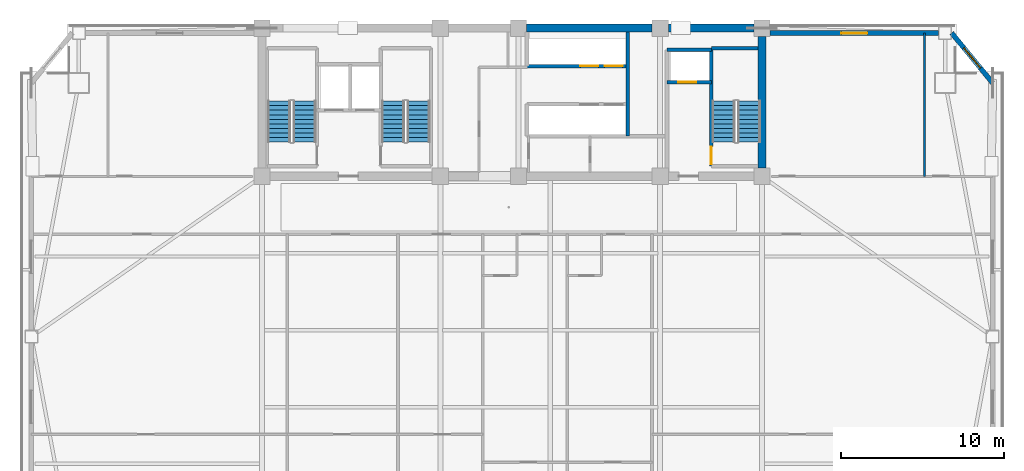
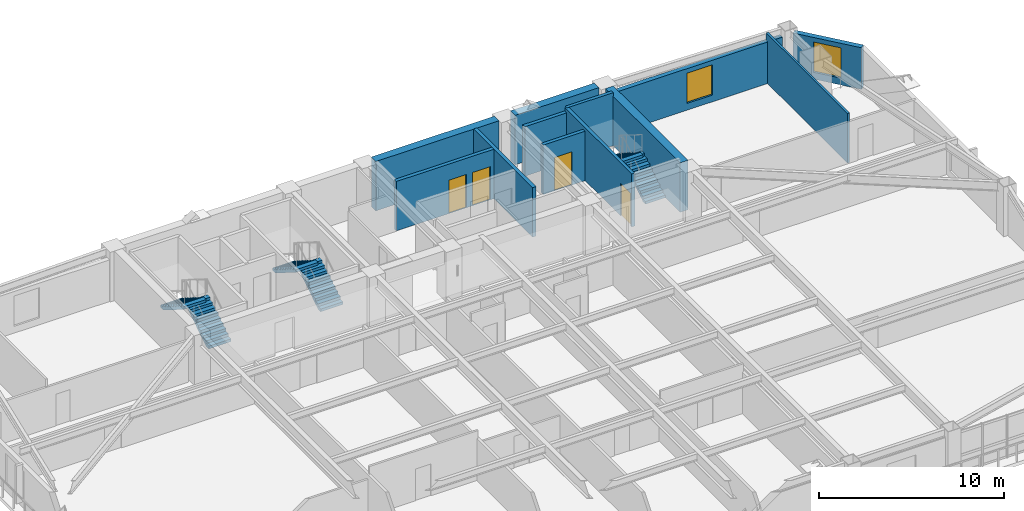
# One storey, part 10 of 16: 12 walls, 6 stair flights, 4 doors, 2 windows, 6 openings, 3 elements without a shape of their own.
"""IFC4 building model written with IfcOpenShell, lengths in metres."""

from ifc_helpers import new_model, si_unit, direction, frame, frame_2d, origin, place, context, subcontext, project, spatial, polyline, rectangle, outline, extrude, source, transform, mapped, material, layer, layer_set, type_object, element, fill, aggregate, save


model = new_model("IFC4")

# Units and contexts
model_context = context("Model", 3, precision=1e-05, world=origin(), true_north=direction((0.0, 1.0)))
body_context = subcontext(model_context, "Body", "Model", "MODEL_VIEW")
ifc_project = project(units=[si_unit("LENGTHUNIT", "METRE"), si_unit("AREAUNIT", "SQUARE_METRE"), si_unit("VOLUMEUNIT", "CUBIC_METRE"), si_unit("PLANEANGLEUNIT", "RADIAN"), si_unit("MASSUNIT", "GRAM", prefix="KILO")], contexts=[model_context])

# Site, building, storey
site_placement = place(None, origin())
site = spatial("IfcSite", under=ifc_project, at=site_placement, CompositionType="ELEMENT")
building_placement = place(site_placement, origin())
building = spatial("IfcBuilding", under=site, at=building_placement, Name="Giltprow Tower", CompositionType="ELEMENT")
storey_placement = place(building_placement, frame((0.0, 0.0, 159.699951171875)))
storey = spatial("IfcBuildingStorey", under=building, at=storey_placement, Name="L39", CompositionType="ELEMENT", Elevation=159.699951171875)

# Wall, opening, window
ifc_material_1 = material(Name="Precast concrete C40", Category="concrete")
ifc_layer_1 = layer(ifc_material_1, 0.300048828125, Name="Precast concrete C40")
ifc_layer_set_1 = layer_set([ifc_layer_1], Name="Precast concrete C40")
wall_type_1 = type_object("IfcWallType", Name="EW-NOTCH-CHAMFER-300", PredefinedType="SOLIDWALL", material=ifc_layer_set_1)
wall_1_placement = place(storey_placement, frame((64.716064453125, 43.18701171875, 0.0), z_axis=(0.0, 0.0, 1.0), x_axis=(-0.634310946058, 0.773078019161, 0.0)))
wall_1 = element("IfcWall", 1, at=wall_1_placement, inside=storey, type_object=wall_type_1, Name="L39 Corner Notch Wall NE", PredefinedType="SOLIDWALL", context=body_context, shape_type="SweptSolid", body=[
    extrude(rectangle(XDim=3.962158203125, YDim=0.300048828125, at=frame_2d((1.98095703125, 0.0))), origin(), (0.0, 0.0, 1.0), 2.75),
])
opening_1_placement = place(wall_1_placement, frame((1.180908203125, 0.0, 0.449951171875)))
opening_1 = element("IfcOpeningElement", 2, at=opening_1_placement, cuts=wall_1, Name="Opening WN17", PredefinedType="OPENING", context=body_context, shape_type="SweptSolid", body=[
    extrude(rectangle(XDim=1.60009765625, YDim=2.0, at=frame_2d((0.800048828125, 1.0))), frame((0.0, 0.159912109375, 0.0), z_axis=(0.0, -1.0, 0.0), x_axis=(1.0, 0.0, 0.0)), (0.0, 0.0, 1.0), 0.320068359375),
])
ifc_material_2 = material(Name="Insulated glass", Category="glass")
window_type = type_object("IfcWindowType", Name="WN-COR-1600x2000", PartitioningType="SINGLE_PANEL", PredefinedType="WINDOW", material=ifc_material_2)
shared_shape_1 = source(origin(), body_context, "Body", "SweptSolid", [
    extrude(rectangle(XDim=1.60009765625, YDim=2.0, at=frame_2d((0.800048828125, 1.0))), frame((0.0, 0.030029296875, 0.0), z_axis=(0.0, -1.0, 0.0), x_axis=(1.0, 0.0, 0.0)), (0.0, 0.0, 1.0), 0.06005859375),
])
window_1_placement = place(opening_1_placement, origin())
window_1 = element("IfcWindow", 3, at=window_1_placement, inside=storey, type_object=window_type, Name="L39 Corner Notch Window NE", OverallHeight=2.0, OverallWidth=1.60009765625, PartitioningType="SINGLE_PANEL", PredefinedType="WINDOW", context=body_context, shape_type="MappedRepresentation", body=[
    mapped(shared_shape_1, transform((0.0, 0.0, 0.0), x_axis=(1.0, 0.0, 0.0), y_axis=(0.0, 1.0, 0.0), z_axis=(0.0, 0.0, 1.0), scale=1.0)),
])
fill(opening_1, window_1)

ifc_layer_2 = layer(ifc_material_1, 0.280029296875, Name="Precast concrete C40")
ifc_layer_set_2 = layer_set([ifc_layer_2], Name="Precast concrete C40")
wall_type_2 = type_object("IfcWallType", Name="EW-TOW-BRONZE-280", PredefinedType="SOLIDWALL", material=ifc_layer_set_2)
wall_2_placement = place(storey_placement, frame((51.050048828125, 46.25, 0.0), z_axis=(0.0, 0.0, 1.0), x_axis=(1.0, 0.0, 0.0)))
wall_2 = element("IfcWall", 4, at=wall_2_placement, inside=storey, type_object=wall_type_2, Name="L39 North-East Wing Wall", PredefinedType="SOLIDWALL", context=body_context, shape_type="SweptSolid", body=[
    extrude(rectangle(XDim=10.35302734375, YDim=0.280029296875, at=frame_2d((5.176513671875, 0.0))), origin(), (0.0, 0.0, 1.0), 2.75),
])
opening_2_placement = place(wall_2_placement, frame((4.376953125, 0.0, 0.449951171875)))
opening_2 = element("IfcOpeningElement", 5, at=opening_2_placement, cuts=wall_2, Name="Opening WN17", PredefinedType="OPENING", context=body_context, shape_type="SweptSolid", body=[
    extrude(rectangle(XDim=1.60009765625, YDim=2.0, at=frame_2d((0.800048828125, 1.0))), frame((0.0, 0.14990234375, 0.0), z_axis=(0.0, -1.0, 0.0), x_axis=(1.0, 0.0, 0.0)), (0.0, 0.0, 1.0), 0.300048828125),
])
window_2_placement = place(opening_2_placement, origin())
window_2 = element("IfcWindow", 6, at=window_2_placement, inside=storey, type_object=window_type, Name="L39 North-East Window", OverallHeight=2.0, OverallWidth=1.60009765625, PartitioningType="SINGLE_PANEL", PredefinedType="WINDOW", context=body_context, shape_type="MappedRepresentation", body=[
    mapped(shared_shape_1, transform((0.0, 0.0, 0.0), x_axis=(1.0, 0.0, 0.0), y_axis=(0.0, 1.0, 0.0), z_axis=(0.0, 0.0, 1.0), scale=1.0)),
])
fill(opening_2, window_2)

# Wall, opening, door
ifc_material_3 = material(Name="Concrete C40", Category="concrete")
ifc_layer_3 = layer(ifc_material_3, 0.219970703125, Name="Concrete C40")
ifc_layer_set_3 = layer_set([ifc_layer_3], Name="Concrete C40")
wall_type_3 = type_object("IfcWallType", Name="IW-SHAFT-220", PredefinedType="SOLIDWALL", material=ifc_layer_set_3)
wall_3_placement = place(storey_placement, frame((44.719970703125, 43.219970703125, 0.0), z_axis=(0.0, 0.0, 1.0), x_axis=(1.0, 0.0, 0.0)))
wall_3 = element("IfcWall", 7, at=wall_3_placement, inside=storey, type_object=wall_type_3, Name="L39 FFL2 Front Shaft Wall", PredefinedType="SOLIDWALL", context=body_context, shape_type="SweptSolid", body=[
    extrude(rectangle(XDim=2.719970703125, YDim=0.219970703125, at=frame_2d((1.35986328125, 0.0))), origin(), (0.0, 0.0, 1.0), 3.27001953125),
])
opening_3_placement = place(wall_3_placement, frame((0.699951171875, 0.0, 0.0)))
opening_3 = element("IfcOpeningElement", 8, at=opening_3_placement, cuts=wall_3, Name="Opening LD-11", PredefinedType="OPENING", context=body_context, shape_type="SweptSolid", body=[
    extrude(rectangle(XDim=1.10009765625, YDim=2.199951171875, at=frame_2d((0.550048828125, 1.10009765625))), frame((0.0, 0.119873046875, 0.0), z_axis=(0.0, -1.0, 0.0), x_axis=(1.0, 0.0, 0.0)), (0.0, 0.0, 1.0), 0.239990234375),
])
ifc_material_4 = material(Name="Stainless steel", Category="steel")
door_type_1 = type_object("IfcDoorType", Name="DR-LIFT-LD1100", OperationType="SLIDING_TO_LEFT", PredefinedType="DOOR", material=ifc_material_4)
shared_shape_2 = source(origin(), body_context, "Body", "SweptSolid", [
    extrude(rectangle(XDim=1.10009765625, YDim=2.199951171875, at=frame_2d((0.550048828125, 1.10009765625))), frame((0.0, 0.02490234375, 0.0), z_axis=(0.0, -1.0, 0.0), x_axis=(1.0, 0.0, 0.0)), (0.0, 0.0, 1.0), 0.050048828125),
])
door_1_placement = place(opening_3_placement, origin())
door_1 = element("IfcDoor", 9, at=door_1_placement, inside=storey, type_object=door_type_1, Name="L39 FFL2 Landing Door", OperationType="SLIDING_TO_LEFT", OverallHeight=2.199951171875, OverallWidth=1.10009765625, PredefinedType="DOOR", context=body_context, shape_type="MappedRepresentation", body=[
    mapped(shared_shape_2, transform((0.0, 0.0, 0.0), x_axis=(1.0, 0.0, 0.0), y_axis=(0.0, 1.0, 0.0), z_axis=(0.0, 0.0, 1.0), scale=1.0)),
])
fill(opening_3, door_1)

# Wall
wall_4_placement = place(storey_placement, frame((44.719970703125, 45.219970703125, 0.0), z_axis=(0.0, 0.0, 1.0), x_axis=(1.0, 0.0, 0.0)))
element("IfcWall", 10, at=wall_4_placement, inside=storey, type_object=wall_type_3, Name="L39 FFL2 Back Shaft Wall", PredefinedType="SOLIDWALL", context=body_context, shape_type="SweptSolid", body=[
    extrude(rectangle(XDim=2.719970703125, YDim=0.219970703125, at=frame_2d((1.35986328125, 0.0))), origin(), (0.0, 0.0, 1.0), 3.27001953125),
])

# Wall, openings, doors
wall_5_placement = place(storey_placement, frame((36.1201171875, 44.219970703125, 0.0), z_axis=(0.0, 0.0, 1.0), x_axis=(1.0, 0.0, 0.0)))
wall_5 = element("IfcWall", 11, at=wall_5_placement, inside=storey, type_object=wall_type_3, Name="L39 Mid-Rise Lift Shaft Front Wall N", PredefinedType="SOLIDWALL", context=body_context, shape_type="SweptSolid", body=[
    extrude(rectangle(XDim=6.199951171875, YDim=0.219970703125, at=frame_2d((3.10009765625, 0.0))), origin(), (0.0, 0.0, 1.0), 3.27001953125),
])
opening_4_placement = place(wall_5_placement, frame((3.280029296875, 0.0, 0.0)))
opening_4 = element("IfcOpeningElement", 12, at=opening_4_placement, cuts=wall_5, Name="Opening LD-11", PredefinedType="OPENING", context=body_context, shape_type="SweptSolid", body=[
    extrude(rectangle(XDim=1.10009765625, YDim=2.199951171875, at=frame_2d((0.550048828125, 1.10009765625))), frame((0.0, 0.119873046875, 0.0), z_axis=(0.0, -1.0, 0.0), x_axis=(1.0, 0.0, 0.0)), (0.0, 0.0, 1.0), 0.239990234375),
])
opening_5_placement = place(wall_5_placement, frame((4.77001953125, 0.0, 0.0)))
opening_5 = element("IfcOpeningElement", 13, at=opening_5_placement, cuts=wall_5, Name="Opening LD-11", PredefinedType="OPENING", context=body_context, shape_type="SweptSolid", body=[
    extrude(rectangle(XDim=1.10009765625, YDim=2.199951171875, at=frame_2d((0.550048828125, 1.10009765625))), frame((0.0, 0.119873046875, 0.0), z_axis=(0.0, -1.0, 0.0), x_axis=(1.0, 0.0, 0.0)), (0.0, 0.0, 1.0), 0.239990234375),
])
door_2_placement = place(opening_4_placement, origin())
door_2 = element("IfcDoor", 14, at=door_2_placement, inside=storey, type_object=door_type_1, Name="L39 PL-M1 Landing Door", OperationType="SLIDING_TO_LEFT", OverallHeight=2.199951171875, OverallWidth=1.10009765625, PredefinedType="DOOR", context=body_context, shape_type="MappedRepresentation", body=[
    mapped(shared_shape_2, transform((0.0, 0.0, 0.0), x_axis=(1.0, 0.0, 0.0), y_axis=(0.0, 1.0, 0.0), z_axis=(0.0, 0.0, 1.0), scale=1.0)),
])
fill(opening_4, door_2)
door_3_placement = place(opening_5_placement, origin())
door_3 = element("IfcDoor", 15, at=door_3_placement, inside=storey, type_object=door_type_1, Name="L39 PL-M2 Landing Door", OperationType="SLIDING_TO_LEFT", OverallHeight=2.199951171875, OverallWidth=1.10009765625, PredefinedType="DOOR", context=body_context, shape_type="MappedRepresentation", body=[
    mapped(shared_shape_2, transform((0.0, 0.0, 0.0), x_axis=(1.0, 0.0, 0.0), y_axis=(0.0, 1.0, 0.0), z_axis=(0.0, 0.0, 1.0), scale=1.0)),
])
fill(opening_5, door_3)

# Wall
wall_6_placement = place(storey_placement, frame((42.320068359375, 39.919921875, 0.0), z_axis=(0.0, 0.0, 1.0), x_axis=(0.0, 1.0, 0.0)))
element("IfcWall", 16, at=wall_6_placement, inside=storey, type_object=wall_type_3, Name="L39 Mid-Rise Lift Bank East Closure", PredefinedType="SOLIDWALL", context=body_context, shape_type="SweptSolid", body=[
    extrude(rectangle(XDim=6.400146484375, YDim=0.219970703125, at=frame_2d((3.2001953125, 0.0))), origin(), (0.0, 0.0, 1.0), 3.27001953125),
])

# Wall, opening, door
ifc_layer_4 = layer(ifc_material_3, 0.199951171875, Name="Concrete C40")
ifc_layer_set_4 = layer_set([ifc_layer_4], Name="Concrete C40")
wall_type_4 = type_object("IfcWallType", Name="IW-STAIR-200", PredefinedType="SOLIDWALL", material=ifc_layer_set_4)
wall_7_placement = place(storey_placement, frame((47.43994140625, 38.070068359375, 0.0), z_axis=(0.0, 0.0, 1.0), x_axis=(0.0, 1.0, 0.0)))
wall_7 = element("IfcWall", 17, at=wall_7_placement, inside=storey, type_object=wall_type_4, Name="L39 Stair ST-3 West Bearing Wall", PredefinedType="SOLIDWALL", context=body_context, shape_type="SweptSolid", body=[
    extrude(rectangle(XDim=7.25, YDim=0.199951171875, at=frame_2d((3.625, 0.0))), origin(), (0.0, 0.0, 1.0), 3.5),
])
opening_6_placement = place(wall_7_placement, frame((0.110107421875, 0.0, 0.0)))
opening_6 = element("IfcOpeningElement", 18, at=opening_6_placement, cuts=wall_7, Name="Opening ID33", PredefinedType="OPENING", context=body_context, shape_type="SweptSolid", body=[
    extrude(rectangle(XDim=1.10009765625, YDim=2.14990234375, at=frame_2d((0.550048828125, 1.074951171875))), frame((0.0, 0.10986328125, 0.0), z_axis=(0.0, -1.0, 0.0), x_axis=(1.0, 0.0, 0.0)), (0.0, 0.0, 1.0), 0.219970703125),
])
ifc_material_5 = material(Name="Steel fire leaf", Category="steel")
door_type_2 = type_object("IfcDoorType", Name="DR-STAIR-1100", OperationType="SINGLE_SWING_LEFT", PredefinedType="DOOR", material=ifc_material_5)
shared_shape_3 = source(origin(), body_context, "Body", "SweptSolid", [
    extrude(rectangle(XDim=1.10009765625, YDim=2.14990234375, at=frame_2d((0.550048828125, 1.074951171875))), frame((0.0, 0.02490234375, 0.0), z_axis=(0.0, -1.0, 0.0), x_axis=(1.0, 0.0, 0.0)), (0.0, 0.0, 1.0), 0.050048828125),
])
door_4_placement = place(opening_6_placement, origin())
door_4 = element("IfcDoor", 19, at=door_4_placement, inside=storey, type_object=door_type_2, Name="L39 Stair ST-3 Fire Door", OperationType="SINGLE_SWING_RIGHT", OverallHeight=2.14990234375, OverallWidth=1.10009765625, PredefinedType="DOOR", context=body_context, shape_type="MappedRepresentation", body=[
    mapped(shared_shape_3, transform((0.0, 0.0, 0.0), x_axis=(1.0, 0.0, 0.0), y_axis=(0.0, 1.0, 0.0), z_axis=(0.0, 0.0, 1.0), scale=1.0)),
])
fill(opening_6, door_4)

# Walls
wall_8_placement = place(storey_placement, frame((47.43994140625, 45.320068359375, 0.0), z_axis=(0.0, 0.0, 1.0), x_axis=(1.0, 0.0, 0.0)))
element("IfcWall", 20, at=wall_8_placement, inside=storey, type_object=wall_type_4, Name="L39 Stair ST-3 North Bearing Wall", PredefinedType="SOLIDWALL", context=body_context, shape_type="SweptSolid", body=[
    extrude(rectangle(XDim=2.880126953125, YDim=0.199951171875, at=frame_2d((1.43994140625, 0.0))), origin(), (0.0, 0.0, 1.0), 3.5),
])
ifc_material_6 = material(Name="Concrete C30", Category="concrete")
ifc_layer_5 = layer(ifc_material_6, 0.1298828125, Name="Concrete C30")
ifc_layer_set_5 = layer_set([ifc_layer_5], Name="Concrete C30")
wall_type_5 = type_object("IfcWallType", Name="IW-WET-130", PredefinedType="PARTITIONING", material=ifc_layer_set_5)
wall_9_placement = place(storey_placement, frame((60.535888671875, 37.449951171875, 0.0), z_axis=(0.0, 0.0, 1.0), x_axis=(0.0, 1.0, 0.0)))
element("IfcWall", 21, at=wall_9_placement, inside=storey, type_object=wall_type_5, Name="L39 NE Wing Divider", PredefinedType="PARTITIONING", context=body_context, shape_type="SweptSolid", body=[
    extrude(rectangle(XDim=8.800048828125, YDim=0.1298828125, at=frame_2d((4.39990234375, 0.0))), origin(), (0.0, 0.0, 1.0), 3.27001953125),
])
ifc_material_7 = material(Name="Concrete C50", Category="concrete")
ifc_layer_6 = layer(ifc_material_7, 0.5, Name="Concrete C50")
ifc_layer_set_6 = layer_set([ifc_layer_6], Name="Concrete C50")
wall_type_6 = type_object("IfcWallType", Name="SW-EXT-500-C50", PredefinedType="SHEAR", material=ifc_layer_set_6)
wall_10_placement = place(storey_placement, frame((36.10009765625, 46.550048828125, 0.0), z_axis=(0.0, 0.0, 1.0), x_axis=(1.0, 0.0, 0.0)))
element("IfcWall", 22, at=wall_10_placement, inside=storey, type_object=wall_type_6, Name="L39 North Rear Core Shear Wall 3", PredefinedType="SHEAR", context=body_context, shape_type="SweptSolid", body=[
    extrude(rectangle(XDim=7.699951171875, YDim=0.5, at=frame_2d((3.85009765625, 0.0))), origin(), (0.0, 0.0, 1.0), 3.27001953125),
])
wall_11_placement = place(storey_placement, frame((44.800048828125, 46.550048828125, 0.0), z_axis=(0.0, 0.0, 1.0), x_axis=(1.0, 0.0, 0.0)))
element("IfcWall", 23, at=wall_11_placement, inside=storey, type_object=wall_type_6, Name="L39 North Rear Core Shear Wall 4", PredefinedType="SHEAR", context=body_context, shape_type="SweptSolid", body=[
    extrude(rectangle(XDim=5.25, YDim=0.5, at=frame_2d((2.625, 0.0))), origin(), (0.0, 0.0, 1.0), 3.27001953125),
])
ifc_layer_7 = layer(ifc_material_7, 0.5, Name="Concrete C50")
ifc_layer_set_7 = layer_set([ifc_layer_7], Name="Concrete C50")
wall_type_7 = type_object("IfcWallType", Name="SW-INT-500-C50", PredefinedType="SHEAR", material=ifc_layer_set_7)
wall_12_placement = place(storey_placement, frame((50.550048828125, 37.949951171875, 0.0), z_axis=(0.0, 0.0, 1.0), x_axis=(0.0, 1.0, 0.0)))
element("IfcWall", 24, at=wall_12_placement, inside=storey, type_object=wall_type_7, Name="L39 E Rear Core Shear Wall", PredefinedType="SHEAR", context=body_context, shape_type="SweptSolid", body=[
    extrude(rectangle(XDim=8.10009765625, YDim=0.5, at=frame_2d((4.050048828125, 0.0))), origin(), (0.0, 0.0, 1.0), 3.27001953125),
])

# Stair, stair flights
stair_type_1 = type_object("IfcStairType", Name="STR-ST-1", PredefinedType="HALF_TURN_STAIR", material=ifc_material_3)
stair_1_placement = place(storey_placement, origin())
stair_1 = element("IfcStair", 25, at=stair_1_placement, inside=storey, type_object=stair_type_1, Name="L39 Core Exit Stair ST-1", PredefinedType="HALF_TURN_STAIR")
stair_flight_type_1 = type_object("IfcStairFlightType", Name="SFL-ST-1", PredefinedType="STRAIGHT", material=ifc_material_3)
stair_flight_1_placement = place(storey_placement, frame((22.4599609375, 39.550048828125, 0.0), z_axis=(0.0, 0.0, 1.0), x_axis=(0.0, 1.0, 0.0)))
stair_flight_1 = element("IfcStairFlight", 26, at=stair_flight_1_placement, type_object=stair_flight_type_1, Name="ST-1 flight 1", NumberOfRisers=10, NumberOfTreads=9, PredefinedType="STRAIGHT", RiserHeight=0.175, TreadLength=0.28, context=body_context, shape_type="SweptSolid", body=[
    extrude(outline(polyline([(0.0, 0.0), (0.0, 0.175048828125), (0.280029296875, 0.175048828125), (0.280029296875, 0.35009765625), (0.56005859375, 0.35009765625), (0.56005859375, 0.52490234375), (0.840087890625, 0.52490234375), (0.840087890625, 0.699951171875), (1.1201171875, 0.699951171875), (1.1201171875, 0.875), (1.39990234375, 0.875), (1.39990234375, 1.050048828125), (1.679931640625, 1.050048828125), (1.679931640625, 1.22509765625), (1.9599609375, 1.22509765625), (1.9599609375, 1.39990234375), (2.239990234375, 1.39990234375), (2.239990234375, 1.574951171875), (2.52001953125, 1.574951171875), (2.52001953125, 1.75), (2.52001953125, 1.398193359375), (0.28271484375, 0.0), (0.0, 0.0)])), frame((0.0, 0.699951171875, 0.0), z_axis=(0.0, -1.0, 0.0), x_axis=(1.0, 0.0, 0.0)), (0.0, 0.0, 1.0), 1.39990234375),
])
stair_flight_2_placement = place(storey_placement, frame((20.89990234375, 42.070068359375, 1.75), z_axis=(0.0, 0.0, 1.0), x_axis=(0.0, -1.0, 0.0)))
stair_flight_2 = element("IfcStairFlight", 27, at=stair_flight_2_placement, type_object=stair_flight_type_1, Name="ST-1 flight 2", NumberOfRisers=10, NumberOfTreads=9, PredefinedType="STRAIGHT", RiserHeight=0.175, TreadLength=0.28, context=body_context, shape_type="SweptSolid", body=[
    extrude(outline(polyline([(0.0, 0.0), (0.0, 0.175048828125), (0.280029296875, 0.175048828125), (0.280029296875, 0.35009765625), (0.56005859375, 0.35009765625), (0.56005859375, 0.52490234375), (0.840087890625, 0.52490234375), (0.840087890625, 0.699951171875), (1.1201171875, 0.699951171875), (1.1201171875, 0.875), (1.39990234375, 0.875), (1.39990234375, 1.050048828125), (1.679931640625, 1.050048828125), (1.679931640625, 1.22509765625), (1.9599609375, 1.22509765625), (1.9599609375, 1.39990234375), (2.239990234375, 1.39990234375), (2.239990234375, 1.574951171875), (2.52001953125, 1.574951171875), (2.52001953125, 1.75), (2.52001953125, 1.398193359375), (0.28271484375, 0.0), (0.0, 0.0)])), frame((0.0, 0.699951171875, 0.0), z_axis=(0.0, -1.0, 0.0), x_axis=(1.0, 0.0, 0.0)), (0.0, 0.0, 1.0), 1.39990234375),
])
aggregate(stair_1, [stair_flight_1, stair_flight_2])

stair_type_2 = type_object("IfcStairType", Name="STR-ST-2", PredefinedType="HALF_TURN_STAIR", material=ifc_material_3)
stair_2_placement = place(storey_placement, origin())
stair_2 = element("IfcStair", 28, at=stair_2_placement, inside=storey, type_object=stair_type_2, Name="L39 Core Exit Stair ST-2", PredefinedType="HALF_TURN_STAIR")
stair_flight_type_2 = type_object("IfcStairFlightType", Name="SFL-ST-2", PredefinedType="STRAIGHT", material=ifc_material_3)
stair_flight_3_placement = place(storey_placement, frame((29.4599609375, 39.550048828125, 0.0), z_axis=(0.0, 0.0, 1.0), x_axis=(0.0, 1.0, 0.0)))
stair_flight_3 = element("IfcStairFlight", 29, at=stair_flight_3_placement, type_object=stair_flight_type_2, Name="ST-2 flight 1", NumberOfRisers=10, NumberOfTreads=9, PredefinedType="STRAIGHT", RiserHeight=0.175, TreadLength=0.28, context=body_context, shape_type="SweptSolid", body=[
    extrude(outline(polyline([(0.0, 0.0), (0.0, 0.175048828125), (0.280029296875, 0.175048828125), (0.280029296875, 0.35009765625), (0.56005859375, 0.35009765625), (0.56005859375, 0.52490234375), (0.840087890625, 0.52490234375), (0.840087890625, 0.699951171875), (1.1201171875, 0.699951171875), (1.1201171875, 0.875), (1.39990234375, 0.875), (1.39990234375, 1.050048828125), (1.679931640625, 1.050048828125), (1.679931640625, 1.22509765625), (1.9599609375, 1.22509765625), (1.9599609375, 1.39990234375), (2.239990234375, 1.39990234375), (2.239990234375, 1.574951171875), (2.52001953125, 1.574951171875), (2.52001953125, 1.75), (2.52001953125, 1.398193359375), (0.28271484375, 0.0), (0.0, 0.0)])), frame((0.0, 0.699951171875, 0.0), z_axis=(0.0, -1.0, 0.0), x_axis=(1.0, 0.0, 0.0)), (0.0, 0.0, 1.0), 1.39990234375),
])
stair_flight_4_placement = place(storey_placement, frame((27.89990234375, 42.070068359375, 1.75), z_axis=(0.0, 0.0, 1.0), x_axis=(0.0, -1.0, 0.0)))
stair_flight_4 = element("IfcStairFlight", 30, at=stair_flight_4_placement, type_object=stair_flight_type_2, Name="ST-2 flight 2", NumberOfRisers=10, NumberOfTreads=9, PredefinedType="STRAIGHT", RiserHeight=0.175, TreadLength=0.28, context=body_context, shape_type="SweptSolid", body=[
    extrude(outline(polyline([(0.0, 0.0), (0.0, 0.175048828125), (0.280029296875, 0.175048828125), (0.280029296875, 0.35009765625), (0.56005859375, 0.35009765625), (0.56005859375, 0.52490234375), (0.840087890625, 0.52490234375), (0.840087890625, 0.699951171875), (1.1201171875, 0.699951171875), (1.1201171875, 0.875), (1.39990234375, 0.875), (1.39990234375, 1.050048828125), (1.679931640625, 1.050048828125), (1.679931640625, 1.22509765625), (1.9599609375, 1.22509765625), (1.9599609375, 1.39990234375), (2.239990234375, 1.39990234375), (2.239990234375, 1.574951171875), (2.52001953125, 1.574951171875), (2.52001953125, 1.75), (2.52001953125, 1.398193359375), (0.28271484375, 0.0), (0.0, 0.0)])), frame((0.0, 0.699951171875, 0.0), z_axis=(0.0, -1.0, 0.0), x_axis=(1.0, 0.0, 0.0)), (0.0, 0.0, 1.0), 1.39990234375),
])
aggregate(stair_2, [stair_flight_3, stair_flight_4])

stair_type_3 = type_object("IfcStairType", Name="STR-ST-3", PredefinedType="HALF_TURN_STAIR", material=ifc_material_3)
stair_3_placement = place(storey_placement, origin())
stair_3 = element("IfcStair", 31, at=stair_3_placement, inside=storey, type_object=stair_type_3, Name="L39 Core Exit Stair ST-3", PredefinedType="HALF_TURN_STAIR")
stair_flight_type_3 = type_object("IfcStairFlightType", Name="SFL-ST-3", PredefinedType="STRAIGHT", material=ifc_material_3)
stair_flight_5_placement = place(storey_placement, frame((49.760009765625, 39.550048828125, 0.0), z_axis=(0.0, 0.0, 1.0), x_axis=(0.0, 1.0, 0.0)))
stair_flight_5 = element("IfcStairFlight", 32, at=stair_flight_5_placement, type_object=stair_flight_type_3, Name="ST-3 flight 1", NumberOfRisers=10, NumberOfTreads=9, PredefinedType="STRAIGHT", RiserHeight=0.175, TreadLength=0.28, context=body_context, shape_type="SweptSolid", body=[
    extrude(outline(polyline([(0.0, 0.0), (0.0, 0.175048828125), (0.280029296875, 0.175048828125), (0.280029296875, 0.35009765625), (0.56005859375, 0.35009765625), (0.56005859375, 0.52490234375), (0.840087890625, 0.52490234375), (0.840087890625, 0.699951171875), (1.1201171875, 0.699951171875), (1.1201171875, 0.875), (1.39990234375, 0.875), (1.39990234375, 1.050048828125), (1.679931640625, 1.050048828125), (1.679931640625, 1.22509765625), (1.9599609375, 1.22509765625), (1.9599609375, 1.39990234375), (2.239990234375, 1.39990234375), (2.239990234375, 1.574951171875), (2.52001953125, 1.574951171875), (2.52001953125, 1.75), (2.52001953125, 1.398193359375), (0.28271484375, 0.0), (0.0, 0.0)])), frame((0.0, 0.699951171875, 0.0), z_axis=(0.0, -1.0, 0.0), x_axis=(1.0, 0.0, 0.0)), (0.0, 0.0, 1.0), 1.39990234375),
])
stair_flight_6_placement = place(storey_placement, frame((48.199951171875, 42.070068359375, 1.75), z_axis=(0.0, 0.0, 1.0), x_axis=(0.0, -1.0, 0.0)))
stair_flight_6 = element("IfcStairFlight", 33, at=stair_flight_6_placement, type_object=stair_flight_type_3, Name="ST-3 flight 2", NumberOfRisers=10, NumberOfTreads=9, PredefinedType="STRAIGHT", RiserHeight=0.175, TreadLength=0.28, context=body_context, shape_type="SweptSolid", body=[
    extrude(outline(polyline([(0.0, 0.0), (0.0, 0.175048828125), (0.280029296875, 0.175048828125), (0.280029296875, 0.35009765625), (0.56005859375, 0.35009765625), (0.56005859375, 0.52490234375), (0.840087890625, 0.52490234375), (0.840087890625, 0.699951171875), (1.1201171875, 0.699951171875), (1.1201171875, 0.875), (1.39990234375, 0.875), (1.39990234375, 1.050048828125), (1.679931640625, 1.050048828125), (1.679931640625, 1.22509765625), (1.9599609375, 1.22509765625), (1.9599609375, 1.39990234375), (2.239990234375, 1.39990234375), (2.239990234375, 1.574951171875), (2.52001953125, 1.574951171875), (2.52001953125, 1.75), (2.52001953125, 1.398193359375), (0.28271484375, 0.0), (0.0, 0.0)])), frame((0.0, 0.699951171875, 0.0), z_axis=(0.0, -1.0, 0.0), x_axis=(1.0, 0.0, 0.0)), (0.0, 0.0, 1.0), 1.39990234375),
])
aggregate(stair_3, [stair_flight_5, stair_flight_6])

save(model, "model.ifc")
